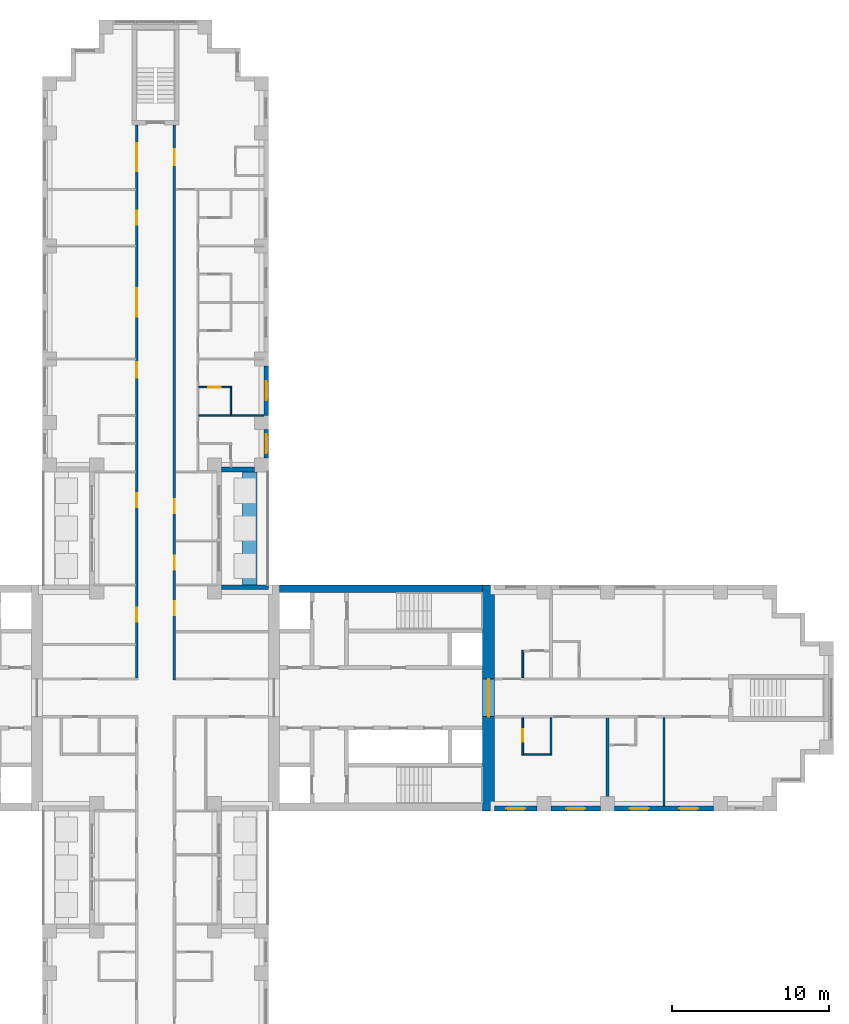
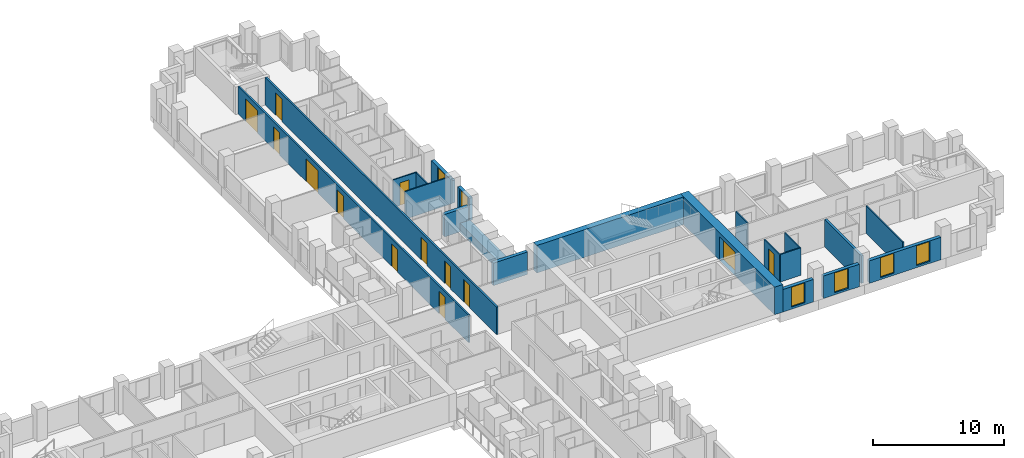
# One storey, part 9 of 15: 21 walls, 13 doors, 6 windows, 19 openings.
"""IFC4 building model written with IfcOpenShell, lengths in metres."""

import ifcopenshell
import ifcopenshell.guid

model = None  # the IFC model being written
_history = None  # IfcOwnerHistory: only IFC2X3 demands one
_inside = {}  # id of a spatial element -> (the spatial element, [elements in it])
_under = {}  # id of a project, library or spatial element -> (it, [spatial elements below it])
_declared = {}  # id of a project -> (the project, [libraries it declares])
_typed = {}  # id of a type object -> (the type object, [elements of that type])
_made_of = {}  # id of a material, layer set ... -> (it, [elements and type objects made of it])


def new_model(schema):
    """Start an empty IFC model of exactly this schema.

    Asked for "IFC4X3", IfcOpenShell would pick the latest addendum, in which some entities
    have other attributes; the version numbers below select the first issue.
    IFC2X3 requires an IfcOwnerHistory on every rooted entity: one is made here for all.
    """
    global model, _history
    if schema == "IFC4X3":
        model = ifcopenshell.file(schema_version=(4, 3, 0, 0))
    else:
        model = ifcopenshell.file(schema=schema)
    _inside.clear()
    _under.clear()
    _declared.clear()
    _typed.clear()
    _made_of.clear()
    _history = None
    if model.schema == "IFC2X3":
        org = make("IfcOrganization", Name="unknown")
        user = make(
            "IfcPersonAndOrganization",
            ThePerson=make("IfcPerson", FamilyName="unknown"),
            TheOrganization=org,
        )
        app = make(
            "IfcApplication",
            ApplicationDeveloper=org,
            Version="unknown",
            ApplicationFullName="unknown",
            ApplicationIdentifier="unknown",
        )
        _history = make(
            "IfcOwnerHistory",
            OwningUser=user,
            OwningApplication=app,
            ChangeAction="ADDED",
            CreationDate=0,
        )
    return model


def make(cls, **values):
    """One entity of the class cls with the attributes given. An attribute that is None is left unset."""
    return model.create_entity(
        cls, **{name: value for name, value in values.items() if value is not None}
    )


def rooted(cls, **values):
    """An entity with a GlobalId (a new one), such as an element, a storey or a relation."""
    return make(cls, GlobalId=ifcopenshell.guid.new(), OwnerHistory=_history, **values)


def si_unit(unit_type, name, prefix=None):
    """IfcSIUnit, for example si_unit("LENGTHUNIT", "METRE", prefix="MILLI")."""
    return make("IfcSIUnit", UnitType=unit_type, Prefix=prefix, Name=name)


def assignment(units):
    """IfcUnitAssignment: the units of a project."""
    return None if units is None else make("IfcUnitAssignment", Units=units)


def point(xyz):
    """IfcCartesianPoint."""
    return None if xyz is None else make("IfcCartesianPoint", Coordinates=xyz)


def direction(xyz):
    """IfcDirection."""
    return None if xyz is None else make("IfcDirection", DirectionRatios=xyz)


def frame(location, z_axis=None, x_axis=None):
    """IfcAxis2Placement3D, a coordinate frame: its origin and axes. An axis left out is left unset."""
    return make(
        "IfcAxis2Placement3D",
        Location=point(location),
        Axis=direction(z_axis),
        RefDirection=direction(x_axis),
    )


def frame_2d(location, x_axis=None):
    """IfcAxis2Placement2D, a coordinate frame in the plane: its origin and x axis."""
    return make(
        "IfcAxis2Placement2D", Location=point(location), RefDirection=direction(x_axis)
    )


def origin():
    """The frame at (0, 0, 0) with its axes left unset."""
    return frame((0.0, 0.0, 0.0))


def place(relative_to, where):
    """IfcLocalPlacement: puts the frame where relative to a parent placement (None: the world)."""
    return make(
        "IfcLocalPlacement", PlacementRelTo=relative_to, RelativePlacement=where
    )


def context(
    kind, dimensions, precision=None, world=None, true_north=None, identifier=None
):
    """IfcGeometricRepresentationContext, for example the 3D "Model" context."""
    return make(
        "IfcGeometricRepresentationContext",
        ContextIdentifier=identifier,
        ContextType=kind,
        CoordinateSpaceDimension=dimensions,
        Precision=precision,
        WorldCoordinateSystem=world,
        TrueNorth=true_north,
    )


def subcontext(parent, identifier, kind, view, scale=None):
    """IfcGeometricRepresentationSubContext, for example "Body" below "Model"."""
    return make(
        "IfcGeometricRepresentationSubContext",
        ContextIdentifier=identifier,
        ContextType=kind,
        ParentContext=parent,
        TargetScale=scale,
        TargetView=view,
    )


def project(units=None, contexts=None):
    """IfcProject with its units and contexts."""
    return rooted(
        "IfcProject",
        Name="project",
        RepresentationContexts=contexts,
        UnitsInContext=assignment(units),
    )


def spatial(cls, under=None, at=None, **own):
    """A site, building, storey or space (cls), placed at a placement, below another one or the project."""
    s = rooted(cls, ObjectPlacement=at, **own)
    if under is not None:
        _under.setdefault(under.id(), (under, []))[1].append(s)
    return s


def profile(cls, at=None, kind="AREA", **sizes):
    """A parametric profile (cls). Its sizes go by their IFC names, for example OverallWidth=200.0."""
    return make(cls, ProfileType=kind, Position=at, **sizes)


def rectangle(**sizes):
    """IfcRectangleProfileDef."""
    return profile("IfcRectangleProfileDef", **sizes)


def extrude(swept, where, along, depth):
    """IfcExtrudedAreaSolid: the profile swept, set in the frame where, extruded along a direction by depth."""
    return make(
        "IfcExtrudedAreaSolid",
        SweptArea=swept,
        Position=where,
        ExtrudedDirection=direction(along),
        Depth=depth,
    )


def shape(context_of_items, identifier, shape_type, items):
    """IfcShapeRepresentation: the items that make up one representation, for example the "Body"."""
    return make(
        "IfcShapeRepresentation",
        ContextOfItems=context_of_items,
        RepresentationIdentifier=identifier,
        RepresentationType=shape_type,
        Items=items,
    )


def material(Name=None, Category=None):
    """IfcMaterial."""
    return make("IfcMaterial", Name=Name, Category=Category)


def layer(
    of_material, thickness, ventilated=None, Name=None, Category=None, Priority=None
):
    """IfcMaterialLayer: one layer of a wall or slab, of a material (None: an air gap)."""
    return make(
        "IfcMaterialLayer",
        Material=of_material,
        LayerThickness=thickness,
        IsVentilated=ventilated,
        Name=Name,
        Category=Category,
        Priority=Priority,
    )


def layer_set(layers, Name=None):
    """IfcMaterialLayerSet."""
    return make("IfcMaterialLayerSet", MaterialLayers=layers, LayerSetName=Name)


def made_of(thing, what):
    """Note that an element or type object is made of a material, layer set ...; save() writes the relation."""
    if what is not None:
        _made_of.setdefault(what.id(), (what, []))[1].append(thing)
    return thing


def type_object(cls, material=None, **own):
    """A type object (cls), such as IfcWallType, which elements share."""
    return made_of(rooted(cls, **own), material)


def element(
    cls,
    number,
    at=None,
    inside=None,
    cuts=None,
    type_object=None,
    material=None,
    context=None,
    identifier="Body",
    shape_type=None,
    held_by="IfcProductDefinitionShape",
    body=None,
    shapes=None,
    **own,
):
    """One element of the class cls, such as IfcWall. Its Tag is "e" and its number.

    at: its placement. inside: the storey or other place that contains it. cuts: it is an
    opening in that element (IfcRelVoidsElement). A single representation is given by context,
    identifier, shape_type and body (its items); several are given by shapes. held_by: the class
    of the entity that holds the representations. save() writes the other relations.
    """
    e = rooted(cls, Tag="e%d" % number, ObjectPlacement=at, **own)
    if body is not None:
        shapes = [shape(context, identifier, shape_type, body)]
    if shapes is not None:
        e.Representation = make(held_by, Representations=shapes)
    if inside is not None:
        _inside.setdefault(inside.id(), (inside, []))[1].append(e)
    if cuts is not None:
        rooted(
            "IfcRelVoidsElement", RelatingBuildingElement=cuts, RelatedOpeningElement=e
        )
    if type_object is not None:
        _typed.setdefault(type_object.id(), (type_object, []))[1].append(e)
    return made_of(e, material)


def fill(opening, filler):
    """IfcRelFillsElement: the door or window that sits in an opening."""
    return rooted(
        "IfcRelFillsElement",
        RelatingOpeningElement=opening,
        RelatedBuildingElement=filler,
    )


def aggregate(whole, parts):
    """IfcRelAggregates: a whole, such as a stair, and the parts it consists of."""
    return rooted("IfcRelAggregates", RelatingObject=whole, RelatedObjects=parts)


def save(model, path):
    """Write the relations noted so far, then the file.

    IfcRelAggregates (storeys below a building ...), IfcRelContainedInSpatialStructure (elements
    in a storey), IfcRelDefinesByType, IfcRelAssociatesMaterial and IfcRelDeclares: one each for
    every whole, place, type object, material and project.
    """
    for whole, parts in _under.values():
        aggregate(whole, parts)
    for where, things in _inside.values():
        rooted(
            "IfcRelContainedInSpatialStructure",
            RelatedElements=things,
            RelatingStructure=where,
        )
    for kind, things in _typed.values():
        rooted("IfcRelDefinesByType", RelatedObjects=things, RelatingType=kind)
    for what, things in _made_of.values():
        rooted("IfcRelAssociatesMaterial", RelatedObjects=things, RelatingMaterial=what)
    for by, libraries in _declared.values():
        rooted("IfcRelDeclares", RelatingContext=by, RelatedDefinitions=libraries)
    model.write(path)


model = new_model("IFC4")

# Units and contexts
model_context = context("Model", 3, precision=1e-05, world=origin(), true_north=direction((0.0, 1.0)))
body_context = subcontext(model_context, "Body", "Model", "MODEL_VIEW")
ifc_project = project(units=[si_unit("LENGTHUNIT", "METRE"), si_unit("AREAUNIT", "SQUARE_METRE"), si_unit("VOLUMEUNIT", "CUBIC_METRE"), si_unit("PLANEANGLEUNIT", "RADIAN"), si_unit("MASSUNIT", "GRAM", prefix="KILO")], contexts=[model_context])

# Site, building, storey
site_placement = place(None, origin())
site = spatial("IfcSite", under=ifc_project, at=site_placement, CompositionType="ELEMENT")
building_placement = place(site_placement, origin())
building = spatial("IfcBuilding", under=site, at=building_placement, Name="Fustian Cross Tower", CompositionType="ELEMENT")
storey_placement = place(building_placement, frame((0.0, 0.0, 35.699951171875)))
storey = spatial("IfcBuildingStorey", under=building, at=storey_placement, Name="L10", CompositionType="ELEMENT", Elevation=35.699951171875)

# Wall, openings, doors
ifc_material_1 = material(Name="Plasterboard on steel stud", Category="steel")
ifc_layer_1 = layer(ifc_material_1, 0.14990234375)
ifc_layer_set_1 = layer_set([ifc_layer_1], Name="Plasterboard on steel stud")
wall_type_1 = type_object("IfcWallType", Name="COMPARTMENT WALL 150 EI 60", PredefinedType="PARTITIONING", material=ifc_layer_set_1)
wall_1_placement = place(storey_placement, frame((-1.199951171875, 1.27490234375, 0.0), z_axis=(0.0, 0.0, 1.0), x_axis=(0.0, 1.0, 0.0)))
wall_1 = element("IfcWall", 1, at=wall_1_placement, inside=storey, type_object=wall_type_1, Name="Partition 39", PredefinedType="PARTITIONING", context=body_context, shape_type="SweptSolid", body=[
    extrude(rectangle(XDim=35.22509765625, YDim=0.14990234375, at=frame_2d((17.612548828125, 0.0))), origin(), (0.0, 0.0, 1.0), 2.574951171875),
])
opening_1_placement = place(wall_1_placement, frame((3.574951171875, 0.0, 0.0)))
opening_1 = element("IfcOpeningElement", 2, at=opening_1_placement, cuts=wall_1, Name="Opening D07004", PredefinedType="OPENING", context=body_context, shape_type="SweptSolid", body=[
    extrude(rectangle(XDim=0.89990234375, YDim=2.10009765625, at=frame_2d((0.449951171875, 1.050048828125))), frame((0.0, 0.0849609375, 0.0), z_axis=(0.0, -1.0, 0.0), x_axis=(1.0, 0.0, 0.0)), (0.0, 0.0, 1.0), 0.169921875),
])
opening_2_placement = place(wall_1_placement, frame((10.875, 0.0, 0.0)))
opening_2 = element("IfcOpeningElement", 3, at=opening_2_placement, cuts=wall_1, Name="Opening D07020", PredefinedType="OPENING", context=body_context, shape_type="SweptSolid", body=[
    extrude(rectangle(XDim=0.89990234375, YDim=2.10009765625, at=frame_2d((0.449951171875, 1.050048828125))), frame((0.0, 0.0849609375, 0.0), z_axis=(0.0, -1.0, 0.0), x_axis=(1.0, 0.0, 0.0)), (0.0, 0.0, 1.0), 0.169921875),
])
opening_3_placement = place(wall_1_placement, frame((19.125, 0.0, 0.0)))
opening_3 = element("IfcOpeningElement", 4, at=opening_3_placement, cuts=wall_1, Name="Opening D07022", PredefinedType="OPENING", context=body_context, shape_type="SweptSolid", body=[
    extrude(rectangle(XDim=1.0, YDim=2.10009765625, at=frame_2d((0.5, 1.050048828125))), frame((0.0, 0.0849609375, 0.0), z_axis=(0.0, -1.0, 0.0), x_axis=(1.0, 0.0, 0.0)), (0.0, 0.0, 1.0), 0.169921875),
])
opening_4_placement = place(wall_1_placement, frame((23.02490234375, 0.0, 0.0)))
opening_4 = element("IfcOpeningElement", 5, at=opening_4_placement, cuts=wall_1, Name="Opening D07023", PredefinedType="OPENING", context=body_context, shape_type="SweptSolid", body=[
    extrude(rectangle(XDim=1.800048828125, YDim=2.10009765625, at=frame_2d((0.89990234375, 1.050048828125))), frame((0.0, 0.0849609375, 0.0), z_axis=(0.0, -1.0, 0.0), x_axis=(1.0, 0.0, 0.0)), (0.0, 0.0, 1.0), 0.169921875),
])
opening_5_placement = place(wall_1_placement, frame((28.875, 0.0, 0.0)))
opening_5 = element("IfcOpeningElement", 6, at=opening_5_placement, cuts=wall_1, Name="Opening D07024", PredefinedType="OPENING", context=body_context, shape_type="SweptSolid", body=[
    extrude(rectangle(XDim=0.89990234375, YDim=2.10009765625, at=frame_2d((0.449951171875, 1.050048828125))), frame((0.0, 0.0849609375, 0.0), z_axis=(0.0, -1.0, 0.0), x_axis=(1.0, 0.0, 0.0)), (0.0, 0.0, 1.0), 0.169921875),
])
opening_6_placement = place(wall_1_placement, frame((32.27490234375, 0.0, 0.0)))
opening_6 = element("IfcOpeningElement", 7, at=opening_6_placement, cuts=wall_1, Name="Opening D07025", PredefinedType="OPENING", context=body_context, shape_type="SweptSolid", body=[
    extrude(rectangle(XDim=1.800048828125, YDim=2.10009765625, at=frame_2d((0.89990234375, 1.050048828125))), frame((0.0, 0.0849609375, 0.0), z_axis=(0.0, -1.0, 0.0), x_axis=(1.0, 0.0, 0.0)), (0.0, 0.0, 1.0), 0.169921875),
])
ifc_material_2 = material(Name="Timber fire door set", Category="wood")
door_type_1 = type_object("IfcDoorType", Name="FIRE DOUBLE DOOR 1800 FD30S", OperationType="DOUBLE_DOOR_DOUBLE_SWING", PredefinedType="DOOR", material=ifc_material_2)
door_1_placement = place(opening_4_placement, frame((1.800048828125, 0.0, 0.0), z_axis=(0.0, 0.0, 1.0), x_axis=(-1.0, 0.0, 0.0)))
door_1 = element("IfcDoor", 8, at=door_1_placement, inside=storey, type_object=door_type_1, Name="Door D07023", OperationType="DOUBLE_DOOR_DOUBLE_SWING", OverallHeight=2.10009765625, OverallWidth=1.800048828125, PredefinedType="DOOR", context=body_context, shape_type="SweptSolid", body=[
    extrude(rectangle(XDim=1.800048828125, YDim=2.10009765625, at=frame_2d((0.89990234375, 1.050048828125))), frame((0.0, 0.02490234375, 0.0), z_axis=(0.0, -1.0, 0.0), x_axis=(1.0, 0.0, 0.0)), (0.0, 0.0, 1.0), 0.050048828125),
])
fill(opening_4, door_1)
door_2_placement = place(opening_6_placement, frame((1.800048828125, 0.0, 0.0), z_axis=(0.0, 0.0, 1.0), x_axis=(-1.0, 0.0, 0.0)))
door_2 = element("IfcDoor", 9, at=door_2_placement, inside=storey, type_object=door_type_1, Name="Door D07025", OperationType="DOUBLE_DOOR_DOUBLE_SWING", OverallHeight=2.10009765625, OverallWidth=1.800048828125, PredefinedType="DOOR", context=body_context, shape_type="SweptSolid", body=[
    extrude(rectangle(XDim=1.800048828125, YDim=2.10009765625, at=frame_2d((0.89990234375, 1.050048828125))), frame((0.0, 0.02490234375, 0.0), z_axis=(0.0, -1.0, 0.0), x_axis=(1.0, 0.0, 0.0)), (0.0, 0.0, 1.0), 0.050048828125),
])
fill(opening_6, door_2)
ifc_material_3 = material(Name="Timber fire door set", Category="wood")
door_type_2 = type_object("IfcDoorType", Name="FIRE SWING DOOR 1000 FD30S", OperationType="SINGLE_SWING_LEFT", PredefinedType="DOOR", material=ifc_material_3)
door_3_placement = place(opening_3_placement, origin())
door_3 = element("IfcDoor", 10, at=door_3_placement, inside=storey, type_object=door_type_2, Name="Door D07022", OperationType="SINGLE_SWING_RIGHT", OverallHeight=2.10009765625, OverallWidth=1.0, PredefinedType="DOOR", context=body_context, shape_type="SweptSolid", body=[
    extrude(rectangle(XDim=1.0, YDim=2.10009765625, at=frame_2d((0.5, 1.050048828125))), frame((0.0, 0.02490234375, 0.0), z_axis=(0.0, -1.0, 0.0), x_axis=(1.0, 0.0, 0.0)), (0.0, 0.0, 1.0), 0.050048828125),
])
fill(opening_3, door_3)
ifc_material_4 = material(Name="Timber fire door set", Category="wood")
door_type_3 = type_object("IfcDoorType", Name="FIRE SWING DOOR 900 FD30S", OperationType="SINGLE_SWING_LEFT", PredefinedType="DOOR", material=ifc_material_4)
door_4_placement = place(opening_1_placement, origin())
door_4 = element("IfcDoor", 11, at=door_4_placement, inside=storey, type_object=door_type_3, Name="Door D07004", OperationType="SINGLE_SWING_RIGHT", OverallHeight=2.10009765625, OverallWidth=0.89990234375, PredefinedType="DOOR", context=body_context, shape_type="SweptSolid", body=[
    extrude(rectangle(XDim=0.89990234375, YDim=2.10009765625, at=frame_2d((0.449951171875, 1.050048828125))), frame((0.0, 0.02490234375, 0.0), z_axis=(0.0, -1.0, 0.0), x_axis=(1.0, 0.0, 0.0)), (0.0, 0.0, 1.0), 0.050048828125),
])
fill(opening_1, door_4)
door_5_placement = place(opening_2_placement, origin())
door_5 = element("IfcDoor", 12, at=door_5_placement, inside=storey, type_object=door_type_3, Name="Door D07020", OperationType="SINGLE_SWING_RIGHT", OverallHeight=2.10009765625, OverallWidth=0.89990234375, PredefinedType="DOOR", context=body_context, shape_type="SweptSolid", body=[
    extrude(rectangle(XDim=0.89990234375, YDim=2.10009765625, at=frame_2d((0.449951171875, 1.050048828125))), frame((0.0, 0.02490234375, 0.0), z_axis=(0.0, -1.0, 0.0), x_axis=(1.0, 0.0, 0.0)), (0.0, 0.0, 1.0), 0.050048828125),
])
fill(opening_2, door_5)
door_6_placement = place(opening_5_placement, origin())
door_6 = element("IfcDoor", 13, at=door_6_placement, inside=storey, type_object=door_type_3, Name="Door D07024", OperationType="SINGLE_SWING_LEFT", OverallHeight=2.10009765625, OverallWidth=0.89990234375, PredefinedType="DOOR", context=body_context, shape_type="SweptSolid", body=[
    extrude(rectangle(XDim=0.89990234375, YDim=2.10009765625, at=frame_2d((0.449951171875, 1.050048828125))), frame((0.0, 0.02490234375, 0.0), z_axis=(0.0, -1.0, 0.0), x_axis=(1.0, 0.0, 0.0)), (0.0, 0.0, 1.0), 0.050048828125),
])
fill(opening_5, door_6)

wall_2_placement = place(storey_placement, frame((1.199951171875, 1.125, 0.0), z_axis=(0.0, 0.0, 1.0), x_axis=(0.0, 1.0, 0.0)))
wall_2 = element("IfcWall", 14, at=wall_2_placement, inside=storey, type_object=wall_type_1, Name="Partition 52", PredefinedType="PARTITIONING", context=body_context, shape_type="SweptSolid", body=[
    extrude(rectangle(XDim=35.375, YDim=0.14990234375, at=frame_2d((17.6875, 0.0))), origin(), (0.0, 0.0, 1.0), 2.574951171875),
])
opening_7_placement = place(wall_2_placement, frame((4.125, 0.0, 0.0)))
opening_7 = element("IfcOpeningElement", 15, at=opening_7_placement, cuts=wall_2, Name="Opening D07002", PredefinedType="OPENING", context=body_context, shape_type="SweptSolid", body=[
    extrude(rectangle(XDim=0.89990234375, YDim=2.10009765625, at=frame_2d((0.449951171875, 1.050048828125))), frame((0.0, 0.0849609375, 0.0), z_axis=(0.0, -1.0, 0.0), x_axis=(1.0, 0.0, 0.0)), (0.0, 0.0, 1.0), 0.169921875),
])
opening_8_placement = place(wall_2_placement, frame((7.02490234375, 0.0, 0.0)))
opening_8 = element("IfcOpeningElement", 16, at=opening_8_placement, cuts=wall_2, Name="Opening D07026", PredefinedType="OPENING", context=body_context, shape_type="SweptSolid", body=[
    extrude(rectangle(XDim=0.89990234375, YDim=2.10009765625, at=frame_2d((0.449951171875, 1.050048828125))), frame((0.0, 0.0849609375, 0.0), z_axis=(0.0, -1.0, 0.0), x_axis=(1.0, 0.0, 0.0)), (0.0, 0.0, 1.0), 0.169921875),
])
opening_9_placement = place(wall_2_placement, frame((10.625, 0.0, 0.0)))
opening_9 = element("IfcOpeningElement", 17, at=opening_9_placement, cuts=wall_2, Name="Opening D07027", PredefinedType="OPENING", context=body_context, shape_type="SweptSolid", body=[
    extrude(rectangle(XDim=0.89990234375, YDim=2.10009765625, at=frame_2d((0.449951171875, 1.050048828125))), frame((0.0, 0.0849609375, 0.0), z_axis=(0.0, -1.0, 0.0), x_axis=(1.0, 0.0, 0.0)), (0.0, 0.0, 1.0), 0.169921875),
])
opening_10_placement = place(wall_2_placement, frame((32.824951171875, 0.0, 0.0)))
opening_10 = element("IfcOpeningElement", 18, at=opening_10_placement, cuts=wall_2, Name="Opening D07029", PredefinedType="OPENING", context=body_context, shape_type="SweptSolid", body=[
    extrude(rectangle(XDim=1.0, YDim=2.10009765625, at=frame_2d((0.5, 1.050048828125))), frame((0.0, 0.0849609375, 0.0), z_axis=(0.0, -1.0, 0.0), x_axis=(1.0, 0.0, 0.0)), (0.0, 0.0, 1.0), 0.169921875),
])
door_7_placement = place(opening_10_placement, frame((1.0, 0.0, 0.0), z_axis=(0.0, 0.0, 1.0), x_axis=(-1.0, 0.0, 0.0)))
door_7 = element("IfcDoor", 19, at=door_7_placement, inside=storey, type_object=door_type_2, Name="Door D07029", OperationType="SINGLE_SWING_RIGHT", OverallHeight=2.10009765625, OverallWidth=1.0, PredefinedType="DOOR", context=body_context, shape_type="SweptSolid", body=[
    extrude(rectangle(XDim=1.0, YDim=2.10009765625, at=frame_2d((0.5, 1.050048828125))), frame((0.0, 0.02490234375, 0.0), z_axis=(0.0, -1.0, 0.0), x_axis=(1.0, 0.0, 0.0)), (0.0, 0.0, 1.0), 0.050048828125),
])
fill(opening_10, door_7)
door_8_placement = place(opening_7_placement, frame((0.89990234375, 0.0, 0.0), z_axis=(0.0, 0.0, 1.0), x_axis=(-1.0, 0.0, 0.0)))
door_8 = element("IfcDoor", 20, at=door_8_placement, inside=storey, type_object=door_type_3, Name="Door D07002", OperationType="SINGLE_SWING_LEFT", OverallHeight=2.10009765625, OverallWidth=0.89990234375, PredefinedType="DOOR", context=body_context, shape_type="SweptSolid", body=[
    extrude(rectangle(XDim=0.89990234375, YDim=2.10009765625, at=frame_2d((0.449951171875, 1.050048828125))), frame((0.0, 0.02490234375, 0.0), z_axis=(0.0, -1.0, 0.0), x_axis=(1.0, 0.0, 0.0)), (0.0, 0.0, 1.0), 0.050048828125),
])
fill(opening_7, door_8)
door_9_placement = place(opening_8_placement, frame((0.89990234375, 0.0, 0.0), z_axis=(0.0, 0.0, 1.0), x_axis=(-1.0, 0.0, 0.0)))
door_9 = element("IfcDoor", 21, at=door_9_placement, inside=storey, type_object=door_type_3, Name="Door D07026", OperationType="SINGLE_SWING_RIGHT", OverallHeight=2.10009765625, OverallWidth=0.89990234375, PredefinedType="DOOR", context=body_context, shape_type="SweptSolid", body=[
    extrude(rectangle(XDim=0.89990234375, YDim=2.10009765625, at=frame_2d((0.449951171875, 1.050048828125))), frame((0.0, 0.02490234375, 0.0), z_axis=(0.0, -1.0, 0.0), x_axis=(1.0, 0.0, 0.0)), (0.0, 0.0, 1.0), 0.050048828125),
])
fill(opening_8, door_9)
door_10_placement = place(opening_9_placement, frame((0.89990234375, 0.0, 0.0), z_axis=(0.0, 0.0, 1.0), x_axis=(-1.0, 0.0, 0.0)))
door_10 = element("IfcDoor", 22, at=door_10_placement, inside=storey, type_object=door_type_3, Name="Door D07027", OperationType="SINGLE_SWING_RIGHT", OverallHeight=2.10009765625, OverallWidth=0.89990234375, PredefinedType="DOOR", context=body_context, shape_type="SweptSolid", body=[
    extrude(rectangle(XDim=0.89990234375, YDim=2.10009765625, at=frame_2d((0.449951171875, 1.050048828125))), frame((0.0, 0.02490234375, 0.0), z_axis=(0.0, -1.0, 0.0), x_axis=(1.0, 0.0, 0.0)), (0.0, 0.0, 1.0), 0.050048828125),
])
fill(opening_9, door_10)

# Wall, opening, door
ifc_material_5 = material(Name="Concrete C80/95", Category="concrete")
ifc_layer_2 = layer(ifc_material_5, 0.75)
ifc_layer_set_2 = layer_set([ifc_layer_2], Name="Concrete C80/95")
wall_type_2 = type_object("IfcWallType", Name="CORE END WALL 750 C80/95", PredefinedType="SHEAR", material=ifc_layer_set_2)
wall_3_placement = place(storey_placement, frame((21.22509765625, -7.199951171875, 0.0), z_axis=(0.0, 0.0, 1.0), x_axis=(0.0, 1.0, 0.0)))
wall_3 = element("IfcWall", 23, at=wall_3_placement, inside=storey, type_object=wall_type_2, Name="Core end wall", PredefinedType="SHEAR", context=body_context, shape_type="SweptSolid", body=[
    extrude(rectangle(XDim=14.39990234375, YDim=0.75, at=frame_2d((7.199951171875, 0.0))), origin(), (0.0, 0.0, 1.0), 2.574951171875),
])
opening_11_placement = place(wall_3_placement, frame((6.0, 0.0, 0.0)))
opening_11 = element("IfcOpeningElement", 24, at=opening_11_placement, cuts=wall_3, Name="Opening CD-04-13", PredefinedType="OPENING", context=body_context, shape_type="SweptSolid", body=[
    extrude(rectangle(XDim=2.39990234375, YDim=2.199951171875, at=frame_2d((1.199951171875, 1.10009765625))), frame((0.0, 0.385009765625, 0.0), z_axis=(0.0, -1.0, 0.0), x_axis=(1.0, 0.0, 0.0)), (0.0, 0.0, 1.0), 0.77001953125),
])
ifc_material_6 = material(Name="Steel", Category="steel")
door_type_4 = type_object("IfcDoorType", Name="FIRE DOOR FD30S DOUBLE 2400X2200", OperationType="DOUBLE_DOOR_DOUBLE_SWING", PredefinedType="DOOR", material=ifc_material_6)
door_11_placement = place(opening_11_placement, origin())
door_11 = element("IfcDoor", 25, at=door_11_placement, inside=storey, type_object=door_type_4, Name="Core door CD-04-13", OperationType="DOUBLE_DOOR_DOUBLE_SWING", OverallHeight=2.199951171875, OverallWidth=2.39990234375, PredefinedType="DOOR", context=body_context, shape_type="SweptSolid", body=[
    extrude(rectangle(XDim=2.39990234375, YDim=2.199951171875, at=frame_2d((1.199951171875, 1.10009765625))), frame((0.0, 0.02490234375, 0.0), z_axis=(0.0, -1.0, 0.0), x_axis=(1.0, 0.0, 0.0)), (0.0, 0.0, 1.0), 0.050048828125),
])
fill(opening_11, door_11)

# Walls
ifc_material_7 = material(Name="Concrete C80/95", Category="concrete")
ifc_layer_3 = layer(ifc_material_7, 0.5)
ifc_layer_set_3 = layer_set([ifc_layer_3], Name="Concrete C80/95")
wall_type_3 = type_object("IfcWallType", Name="CORE FACADE WALL 500 C80/95", PredefinedType="SHEAR", material=ifc_layer_set_3)
wall_4_placement = place(storey_placement, frame((7.89990234375, 6.949951171875, 0.0), z_axis=(0.0, 0.0, 1.0), x_axis=(1.0, 0.0, 0.0)))
element("IfcWall", 26, at=wall_4_placement, inside=storey, type_object=wall_type_3, Name="Core facade wall", PredefinedType="SHEAR", context=body_context, shape_type="SweptSolid", body=[
    extrude(rectangle(XDim=12.9501953125, YDim=0.5, at=frame_2d((6.47509765625, 0.0))), origin(), (0.0, 0.0, 1.0), 2.574951171875),
])
ifc_material_8 = material(Name="Plasterboard on steel stud", Category="steel")
ifc_layer_4 = layer(ifc_material_8, 0.10009765625)
ifc_layer_set_4 = layer_set([ifc_layer_4], Name="Plasterboard on steel stud")
wall_type_4 = type_object("IfcWallType", Name="PARTITION 100 STUD", PredefinedType="PARTITIONING", material=ifc_layer_set_4)
wall_5_placement = place(storey_placement, frame((2.75, 18.0, 0.0), z_axis=(0.0, 0.0, 1.0), x_axis=(1.0, 0.0, 0.0)))
element("IfcWall", 27, at=wall_5_placement, inside=storey, type_object=wall_type_4, Name="Partition 62", PredefinedType="PARTITIONING", context=body_context, shape_type="SweptSolid", body=[
    extrude(rectangle(XDim=4.14990234375, YDim=0.10009765625, at=frame_2d((2.074951171875, 0.0))), origin(), (0.0, 0.0, 1.0), 2.574951171875),
])

# Wall, opening, door
wall_6_placement = place(storey_placement, frame((2.75, 19.800048828125, 0.0), z_axis=(0.0, 0.0, 1.0), x_axis=(1.0, 0.0, 0.0)))
wall_6 = element("IfcWall", 28, at=wall_6_placement, inside=storey, type_object=wall_type_4, Name="Partition 63", PredefinedType="PARTITIONING", context=body_context, shape_type="SweptSolid", body=[
    extrude(rectangle(XDim=2.10009765625, YDim=0.10009765625, at=frame_2d((1.050048828125, 0.0))), origin(), (0.0, 0.0, 1.0), 2.574951171875),
])
opening_12_placement = place(wall_6_placement, frame((0.60009765625, 0.0, 0.0)))
opening_12 = element("IfcOpeningElement", 29, at=opening_12_placement, cuts=wall_6, Name="Opening D07037", PredefinedType="OPENING", context=body_context, shape_type="SweptSolid", body=[
    extrude(rectangle(XDim=0.800048828125, YDim=2.10009765625, at=frame_2d((0.39990234375, 1.050048828125))), frame((0.0, 0.06005859375, 0.0), z_axis=(0.0, -1.0, 0.0), x_axis=(1.0, 0.0, 0.0)), (0.0, 0.0, 1.0), 0.1201171875),
])
ifc_material_9 = material(Name="Painted timber", Category="wood")
door_type_5 = type_object("IfcDoorType", Name="SWING DOOR 800", OperationType="SINGLE_SWING_LEFT", PredefinedType="DOOR", material=ifc_material_9)
door_12_placement = place(opening_12_placement, frame((0.800048828125, 0.0, 0.0), z_axis=(0.0, 0.0, 1.0), x_axis=(-1.0, 0.0, 0.0)))
door_12 = element("IfcDoor", 30, at=door_12_placement, inside=storey, type_object=door_type_5, Name="Door D07037", OperationType="SINGLE_SWING_RIGHT", OverallHeight=2.10009765625, OverallWidth=0.800048828125, PredefinedType="DOOR", context=body_context, shape_type="SweptSolid", body=[
    extrude(rectangle(XDim=0.800048828125, YDim=2.10009765625, at=frame_2d((0.39990234375, 1.050048828125))), frame((0.0, 0.02490234375, 0.0), z_axis=(0.0, -1.0, 0.0), x_axis=(1.0, 0.0, 0.0)), (0.0, 0.0, 1.0), 0.050048828125),
])
fill(opening_12, door_12)

# Wall
wall_7_placement = place(storey_placement, frame((4.800048828125, 18.050048828125, 0.0), z_axis=(0.0, 0.0, 1.0), x_axis=(0.0, 1.0, 0.0)))
element("IfcWall", 31, at=wall_7_placement, inside=storey, type_object=wall_type_4, Name="Partition 74", PredefinedType="PARTITIONING", context=body_context, shape_type="SweptSolid", body=[
    extrude(rectangle(XDim=1.699951171875, YDim=0.10009765625, at=frame_2d((0.85009765625, 0.0))), origin(), (0.0, 0.0, 1.0), 2.574951171875),
])

# Wall, opening, door
wall_8_placement = place(storey_placement, frame((23.39990234375, -3.64990234375, 0.0), z_axis=(0.0, 0.0, 1.0), x_axis=(0.0, 1.0, 0.0)))
wall_8 = element("IfcWall", 32, at=wall_8_placement, inside=storey, type_object=wall_type_4, Name="Partition 82", PredefinedType="PARTITIONING", context=body_context, shape_type="SweptSolid", body=[
    extrude(rectangle(XDim=2.375, YDim=0.10009765625, at=frame_2d((1.1875, 0.0))), origin(), (0.0, 0.0, 1.0), 2.574951171875),
])
opening_13_placement = place(wall_8_placement, frame((0.85009765625, 0.0, 0.0)))
opening_13 = element("IfcOpeningElement", 33, at=opening_13_placement, cuts=wall_8, Name="Opening D07015", PredefinedType="OPENING", context=body_context, shape_type="SweptSolid", body=[
    extrude(rectangle(XDim=0.800048828125, YDim=2.10009765625, at=frame_2d((0.39990234375, 1.050048828125))), frame((0.0, 0.06005859375, 0.0), z_axis=(0.0, -1.0, 0.0), x_axis=(1.0, 0.0, 0.0)), (0.0, 0.0, 1.0), 0.1201171875),
])
door_13_placement = place(opening_13_placement, frame((0.800048828125, 0.0, 0.0), z_axis=(0.0, 0.0, 1.0), x_axis=(-1.0, 0.0, 0.0)))
door_13 = element("IfcDoor", 34, at=door_13_placement, inside=storey, type_object=door_type_5, Name="Door D07015", OperationType="SINGLE_SWING_RIGHT", OverallHeight=2.10009765625, OverallWidth=0.800048828125, PredefinedType="DOOR", context=body_context, shape_type="SweptSolid", body=[
    extrude(rectangle(XDim=0.800048828125, YDim=2.10009765625, at=frame_2d((0.39990234375, 1.050048828125))), frame((0.0, 0.02490234375, 0.0), z_axis=(0.0, -1.0, 0.0), x_axis=(1.0, 0.0, 0.0)), (0.0, 0.0, 1.0), 0.050048828125),
])
fill(opening_13, door_13)

# Walls
wall_9_placement = place(storey_placement, frame((23.449951171875, -3.60009765625, 0.0), z_axis=(0.0, 0.0, 1.0), x_axis=(1.0, 0.0, 0.0)))
element("IfcWall", 35, at=wall_9_placement, inside=storey, type_object=wall_type_4, Name="Partition 83", PredefinedType="PARTITIONING", context=body_context, shape_type="SweptSolid", body=[
    extrude(rectangle(XDim=1.800048828125, YDim=0.10009765625, at=frame_2d((0.89990234375, 0.0))), origin(), (0.0, 0.0, 1.0), 2.574951171875),
])
wall_10_placement = place(storey_placement, frame((23.39990234375, 1.27490234375, 0.0), z_axis=(0.0, 0.0, 1.0), x_axis=(0.0, 1.0, 0.0)))
element("IfcWall", 36, at=wall_10_placement, inside=storey, type_object=wall_type_4, Name="Partition 84", PredefinedType="PARTITIONING", context=body_context, shape_type="SweptSolid", body=[
    extrude(rectangle(XDim=1.775146484375, YDim=0.10009765625, at=frame_2d((0.8876953125, 0.0))), origin(), (0.0, 0.0, 1.0), 2.574951171875),
])
wall_11_placement = place(storey_placement, frame((25.199951171875, -3.550048828125, 0.0), z_axis=(0.0, 0.0, 1.0), x_axis=(0.0, 1.0, 0.0)))
element("IfcWall", 37, at=wall_11_placement, inside=storey, type_object=wall_type_4, Name="Partition 86", PredefinedType="PARTITIONING", context=body_context, shape_type="SweptSolid", body=[
    extrude(rectangle(XDim=2.275146484375, YDim=0.10009765625, at=frame_2d((1.1376953125, 0.0))), origin(), (0.0, 0.0, 1.0), 2.574951171875),
])
wall_12_placement = place(storey_placement, frame((32.39990234375, -6.89990234375, 0.0), z_axis=(0.0, 0.0, 1.0), x_axis=(0.0, 1.0, 0.0)))
element("IfcWall", 38, at=wall_12_placement, inside=storey, type_object=wall_type_4, Name="Partition 93", PredefinedType="PARTITIONING", context=body_context, shape_type="SweptSolid", body=[
    extrude(rectangle(XDim=5.625, YDim=0.10009765625, at=frame_2d((2.8125, 0.0))), origin(), (0.0, 0.0, 1.0), 2.574951171875),
])
ifc_material_10 = material(Name="Plasterboard on steel stud", Category="steel")
ifc_layer_5 = layer(ifc_material_10, 0.199951171875)
ifc_layer_set_5 = layer_set([ifc_layer_5], Name="Plasterboard on steel stud")
wall_type_5 = type_object("IfcWallType", Name="PARTY WALL 200 EI 60", PredefinedType="PARTITIONING", material=ifc_layer_set_5)
wall_13_placement = place(storey_placement, frame((28.800048828125, -6.89990234375, 0.0), z_axis=(0.0, 0.0, 1.0), x_axis=(0.0, 1.0, 0.0)))
element("IfcWall", 39, at=wall_13_placement, inside=storey, type_object=wall_type_5, Name="Partition 90", PredefinedType="PARTITIONING", context=body_context, shape_type="SweptSolid", body=[
    extrude(rectangle(XDim=5.625, YDim=0.199951171875, at=frame_2d((2.8125, 0.0))), origin(), (0.0, 0.0, 1.0), 2.574951171875),
])
ifc_material_11 = material(Name="Concrete C40/50", Category="concrete")
ifc_layer_6 = layer(ifc_material_11, 0.89990234375)
ifc_layer_set_6 = layer_set([ifc_layer_6], Name="Concrete C40/50")
wall_type_6 = type_object("IfcWallType", Name="PK1 PLANTER 900", PredefinedType="PARAPET", material=ifc_layer_set_6)
wall_14_placement = place(storey_placement, frame((6.0, 7.199951171875, 0.0), z_axis=(0.0, 0.0, 1.0), x_axis=(0.0, 1.0, 0.0)))
element("IfcWall", 40, at=wall_14_placement, inside=storey, type_object=wall_type_6, Name="PLANTER", PredefinedType="PARAPET", context=body_context, shape_type="SweptSolid", body=[
    extrude(rectangle(XDim=7.199951171875, YDim=0.89990234375, at=frame_2d((3.60009765625, 0.0))), origin(), (0.0, 0.0, 1.0), 0.800048828125),
])

# Wall, opening, window
ifc_material_12 = material(Name="Dark aluminium cladding on insulated backing wall", Category="aluminium")
ifc_layer_7 = layer(ifc_material_12, 0.300048828125)
ifc_layer_set_7 = layer_set([ifc_layer_7], Name="Dark aluminium cladding on insulated backing wall")
wall_type_7 = type_object("IfcWallType", Name="XW1 EXTERNAL WALL 300", PredefinedType="SOLIDWALL", material=ifc_layer_set_7)
wall_15_placement = place(storey_placement, frame((21.60009765625, -7.050048828125, 0.0), z_axis=(0.0, 0.0, 1.0), x_axis=(1.0, 0.0, 0.0)))
wall_15 = element("IfcWall", 41, at=wall_15_placement, inside=storey, type_object=wall_type_7, Name="External wall", PredefinedType="SOLIDWALL", context=body_context, shape_type="SweptSolid", body=[
    extrude(rectangle(XDim=2.699951171875, YDim=0.300048828125, at=frame_2d((1.35009765625, 0.0))), origin(), (0.0, 0.0, 1.0), 2.10009765625),
])
opening_14_placement = place(wall_15_placement, frame((0.75, 0.0, 0.199951171875)))
opening_14 = element("IfcOpeningElement", 42, at=opening_14_placement, cuts=wall_15, Name="Opening WN3", PredefinedType="OPENING", context=body_context, shape_type="SweptSolid", body=[
    extrude(rectangle(XDim=1.199951171875, YDim=1.85009765625, at=frame_2d((0.60009765625, 0.925048828125))), frame((0.0, 0.159912109375, 0.0), z_axis=(0.0, -1.0, 0.0), x_axis=(1.0, 0.0, 0.0)), (0.0, 0.0, 1.0), 0.320068359375),
])
ifc_material_13 = material(Name="Dark anodised aluminium and double glazing", Category="aluminium")
window_type = type_object("IfcWindowType", Name="WN3 WINDOW 1200X1850", PartitioningType="SINGLE_PANEL", PredefinedType="WINDOW", material=ifc_material_13)
window_1_placement = place(opening_14_placement, origin())
window_1 = element("IfcWindow", 43, at=window_1_placement, inside=storey, type_object=window_type, Name="Window", OverallHeight=1.85009765625, OverallWidth=1.199951171875, PartitioningType="SINGLE_PANEL", PredefinedType="WINDOW", context=body_context, shape_type="SweptSolid", body=[
    extrude(rectangle(XDim=1.199951171875, YDim=1.85009765625, at=frame_2d((0.60009765625, 0.925048828125))), frame((0.0, 0.030029296875, 0.0), z_axis=(0.0, -1.0, 0.0), x_axis=(1.0, 0.0, 0.0)), (0.0, 0.0, 1.0), 0.06005859375),
])
fill(opening_14, window_1)

wall_16_placement = place(storey_placement, frame((25.199951171875, -7.050048828125, 0.0), z_axis=(0.0, 0.0, 1.0), x_axis=(1.0, 0.0, 0.0)))
wall_16 = element("IfcWall", 44, at=wall_16_placement, inside=storey, type_object=wall_type_7, Name="External wall", PredefinedType="SOLIDWALL", context=body_context, shape_type="SweptSolid", body=[
    extrude(rectangle(XDim=3.150146484375, YDim=0.300048828125, at=frame_2d((1.5751953125, 0.0))), origin(), (0.0, 0.0, 1.0), 2.10009765625),
])
opening_15_placement = place(wall_16_placement, frame((0.97509765625, 0.0, 0.199951171875)))
opening_15 = element("IfcOpeningElement", 45, at=opening_15_placement, cuts=wall_16, Name="Opening WN3", PredefinedType="OPENING", context=body_context, shape_type="SweptSolid", body=[
    extrude(rectangle(XDim=1.199951171875, YDim=1.85009765625, at=frame_2d((0.60009765625, 0.925048828125))), frame((0.0, 0.159912109375, 0.0), z_axis=(0.0, -1.0, 0.0), x_axis=(1.0, 0.0, 0.0)), (0.0, 0.0, 1.0), 0.320068359375),
])
window_2_placement = place(opening_15_placement, origin())
window_2 = element("IfcWindow", 46, at=window_2_placement, inside=storey, type_object=window_type, Name="Window", OverallHeight=1.85009765625, OverallWidth=1.199951171875, PartitioningType="SINGLE_PANEL", PredefinedType="WINDOW", context=body_context, shape_type="SweptSolid", body=[
    extrude(rectangle(XDim=1.199951171875, YDim=1.85009765625, at=frame_2d((0.60009765625, 0.925048828125))), frame((0.0, 0.030029296875, 0.0), z_axis=(0.0, -1.0, 0.0), x_axis=(1.0, 0.0, 0.0)), (0.0, 0.0, 1.0), 0.06005859375),
])
fill(opening_15, window_2)

# Wall, openings, windows
wall_17_placement = place(storey_placement, frame((29.25, -7.050048828125, 0.0), z_axis=(0.0, 0.0, 1.0), x_axis=(1.0, 0.0, 0.0)))
wall_17 = element("IfcWall", 47, at=wall_17_placement, inside=storey, type_object=wall_type_7, Name="External wall", PredefinedType="SOLIDWALL", context=body_context, shape_type="SweptSolid", body=[
    extrude(rectangle(XDim=6.300048828125, YDim=0.300048828125, at=frame_2d((3.14990234375, 0.0))), origin(), (0.0, 0.0, 1.0), 2.10009765625),
])
opening_16_placement = place(wall_17_placement, frame((0.97509765625, 0.0, 0.199951171875)))
opening_16 = element("IfcOpeningElement", 48, at=opening_16_placement, cuts=wall_17, Name="Opening WN3", PredefinedType="OPENING", context=body_context, shape_type="SweptSolid", body=[
    extrude(rectangle(XDim=1.199951171875, YDim=1.85009765625, at=frame_2d((0.60009765625, 0.925048828125))), frame((0.0, 0.159912109375, 0.0), z_axis=(0.0, -1.0, 0.0), x_axis=(1.0, 0.0, 0.0)), (0.0, 0.0, 1.0), 0.320068359375),
])
opening_17_placement = place(wall_17_placement, frame((4.125, 0.0, 0.199951171875)))
opening_17 = element("IfcOpeningElement", 49, at=opening_17_placement, cuts=wall_17, Name="Opening WN3", PredefinedType="OPENING", context=body_context, shape_type="SweptSolid", body=[
    extrude(rectangle(XDim=1.199951171875, YDim=1.85009765625, at=frame_2d((0.60009765625, 0.925048828125))), frame((0.0, 0.159912109375, 0.0), z_axis=(0.0, -1.0, 0.0), x_axis=(1.0, 0.0, 0.0)), (0.0, 0.0, 1.0), 0.320068359375),
])
window_3_placement = place(opening_16_placement, origin())
window_3 = element("IfcWindow", 50, at=window_3_placement, inside=storey, type_object=window_type, Name="Window", OverallHeight=1.85009765625, OverallWidth=1.199951171875, PartitioningType="SINGLE_PANEL", PredefinedType="WINDOW", context=body_context, shape_type="SweptSolid", body=[
    extrude(rectangle(XDim=1.199951171875, YDim=1.85009765625, at=frame_2d((0.60009765625, 0.925048828125))), frame((0.0, 0.030029296875, 0.0), z_axis=(0.0, -1.0, 0.0), x_axis=(1.0, 0.0, 0.0)), (0.0, 0.0, 1.0), 0.06005859375),
])
fill(opening_16, window_3)
window_4_placement = place(opening_17_placement, origin())
window_4 = element("IfcWindow", 51, at=window_4_placement, inside=storey, type_object=window_type, Name="Window", OverallHeight=1.85009765625, OverallWidth=1.199951171875, PartitioningType="SINGLE_PANEL", PredefinedType="WINDOW", context=body_context, shape_type="SweptSolid", body=[
    extrude(rectangle(XDim=1.199951171875, YDim=1.85009765625, at=frame_2d((0.60009765625, 0.925048828125))), frame((0.0, 0.030029296875, 0.0), z_axis=(0.0, -1.0, 0.0), x_axis=(1.0, 0.0, 0.0)), (0.0, 0.0, 1.0), 0.06005859375),
])
fill(opening_17, window_4)

# Walls
wall_18_placement = place(storey_placement, frame((7.199951171875, 7.050048828125, 0.0), z_axis=(0.0, 0.0, 1.0), x_axis=(-1.0, 0.0, 0.0)))
element("IfcWall", 52, at=wall_18_placement, inside=storey, type_object=wall_type_7, Name="External wall", PredefinedType="SOLIDWALL", context=body_context, shape_type="SweptSolid", body=[
    extrude(rectangle(XDim=3.0, YDim=0.300048828125, at=frame_2d((1.5, 0.0))), origin(), (0.0, 0.0, 1.0), 2.10009765625),
])
wall_19_placement = place(storey_placement, frame((4.199951171875, 14.550048828125, 0.0), z_axis=(0.0, 0.0, 1.0), x_axis=(1.0, 0.0, 0.0)))
element("IfcWall", 53, at=wall_19_placement, inside=storey, type_object=wall_type_7, Name="External wall", PredefinedType="SOLIDWALL", context=body_context, shape_type="SweptSolid", body=[
    extrude(rectangle(XDim=2.10009765625, YDim=0.300048828125, at=frame_2d((1.050048828125, 0.0))), origin(), (0.0, 0.0, 1.0), 2.10009765625),
])

# Wall, opening, window
wall_20_placement = place(storey_placement, frame((7.050048828125, 15.300048828125, 0.0), z_axis=(0.0, 0.0, 1.0), x_axis=(0.0, 1.0, 0.0)))
wall_20 = element("IfcWall", 54, at=wall_20_placement, inside=storey, type_object=wall_type_7, Name="External wall", PredefinedType="SOLIDWALL", context=body_context, shape_type="SweptSolid", body=[
    extrude(rectangle(XDim=1.800048828125, YDim=0.300048828125, at=frame_2d((0.89990234375, 0.0))), origin(), (0.0, 0.0, 1.0), 2.10009765625),
])
opening_18_placement = place(wall_20_placement, frame((0.300048828125, 0.0, 0.199951171875)))
opening_18 = element("IfcOpeningElement", 55, at=opening_18_placement, cuts=wall_20, Name="Opening WN3", PredefinedType="OPENING", context=body_context, shape_type="SweptSolid", body=[
    extrude(rectangle(XDim=1.199951171875, YDim=1.85009765625, at=frame_2d((0.60009765625, 0.925048828125))), frame((0.0, 0.159912109375, 0.0), z_axis=(0.0, -1.0, 0.0), x_axis=(1.0, 0.0, 0.0)), (0.0, 0.0, 1.0), 0.320068359375),
])
window_5_placement = place(opening_18_placement, origin())
window_5 = element("IfcWindow", 56, at=window_5_placement, inside=storey, type_object=window_type, Name="Window", OverallHeight=1.85009765625, OverallWidth=1.199951171875, PartitioningType="SINGLE_PANEL", PredefinedType="WINDOW", context=body_context, shape_type="SweptSolid", body=[
    extrude(rectangle(XDim=1.199951171875, YDim=1.85009765625, at=frame_2d((0.60009765625, 0.925048828125))), frame((0.0, 0.030029296875, 0.0), z_axis=(0.0, -1.0, 0.0), x_axis=(1.0, 0.0, 0.0)), (0.0, 0.0, 1.0), 0.06005859375),
])
fill(opening_18, window_5)

wall_21_placement = place(storey_placement, frame((7.050048828125, 18.0, 0.0), z_axis=(0.0, 0.0, 1.0), x_axis=(0.0, 1.0, 0.0)))
wall_21 = element("IfcWall", 57, at=wall_21_placement, inside=storey, type_object=wall_type_7, Name="External wall", PredefinedType="SOLIDWALL", context=body_context, shape_type="SweptSolid", body=[
    extrude(rectangle(XDim=3.14990234375, YDim=0.300048828125, at=frame_2d((1.574951171875, 0.0))), origin(), (0.0, 0.0, 1.0), 2.10009765625),
])
opening_19_placement = place(wall_21_placement, frame((0.97509765625, 0.0, 0.199951171875)))
opening_19 = element("IfcOpeningElement", 58, at=opening_19_placement, cuts=wall_21, Name="Opening WN3", PredefinedType="OPENING", context=body_context, shape_type="SweptSolid", body=[
    extrude(rectangle(XDim=1.199951171875, YDim=1.85009765625, at=frame_2d((0.60009765625, 0.925048828125))), frame((0.0, 0.159912109375, 0.0), z_axis=(0.0, -1.0, 0.0), x_axis=(1.0, 0.0, 0.0)), (0.0, 0.0, 1.0), 0.320068359375),
])
window_6_placement = place(opening_19_placement, origin())
window_6 = element("IfcWindow", 59, at=window_6_placement, inside=storey, type_object=window_type, Name="Window", OverallHeight=1.85009765625, OverallWidth=1.199951171875, PartitioningType="SINGLE_PANEL", PredefinedType="WINDOW", context=body_context, shape_type="SweptSolid", body=[
    extrude(rectangle(XDim=1.199951171875, YDim=1.85009765625, at=frame_2d((0.60009765625, 0.925048828125))), frame((0.0, 0.030029296875, 0.0), z_axis=(0.0, -1.0, 0.0), x_axis=(1.0, 0.0, 0.0)), (0.0, 0.0, 1.0), 0.06005859375),
])
fill(opening_19, window_6)

save(model, "model.ifc")
